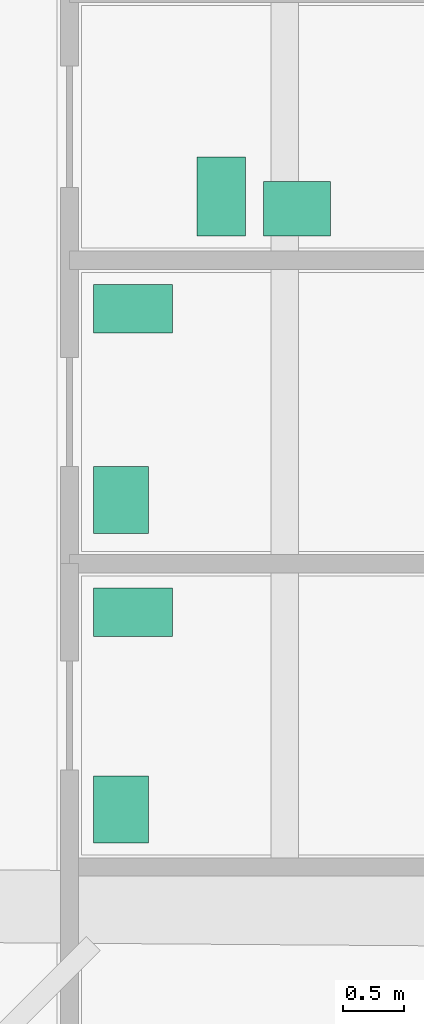
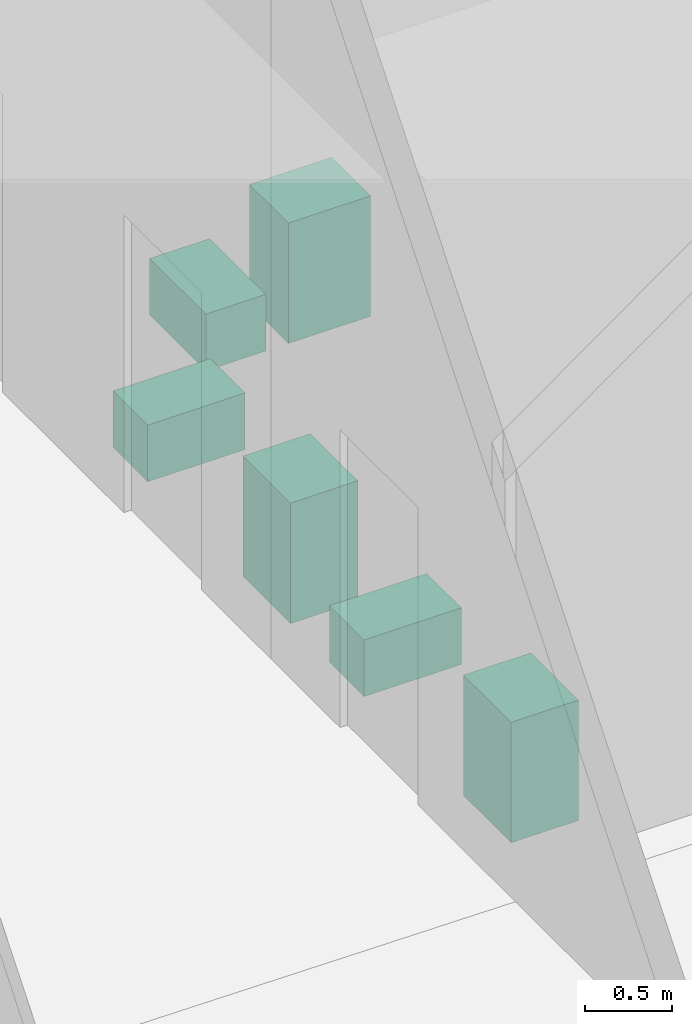
# One storey, part 34 of 35: 6 sanitary terminals.
"""IFC4 building model written with IfcOpenShell, lengths in metres."""

from ifc_helpers import new_model, si_unit, direction, frame, origin, origin_2d, place, context, subcontext, project, spatial, rectangle, extrude, material, type_object, element, save


model = new_model("IFC4")

# Units and contexts
model_context = context("Model", 3, precision=1e-05, world=origin(), true_north=direction((0.0, 1.0)))
body_context = subcontext(model_context, "Body", "Model", "MODEL_VIEW")
ifc_project = project(units=[si_unit("LENGTHUNIT", "METRE"), si_unit("AREAUNIT", "SQUARE_METRE"), si_unit("VOLUMEUNIT", "CUBIC_METRE"), si_unit("PLANEANGLEUNIT", "RADIAN"), si_unit("MASSUNIT", "GRAM", prefix="KILO")], contexts=[model_context])

# Site, building, storey
site_placement = place(None, origin())
site = spatial("IfcSite", under=ifc_project, at=site_placement, CompositionType="ELEMENT")
building_placement = place(site_placement, origin())
building = spatial("IfcBuilding", under=site, at=building_placement, Name="Mashrafa Tower", CompositionType="ELEMENT")
storey_placement = place(building_placement, origin())
storey = spatial("IfcBuildingStorey", under=building, at=storey_placement, Name="L00", CompositionType="ELEMENT", Elevation=0.0)

# Sanitary terminals
ifc_material_1 = material(Name="Vitreous china")
sanitary_terminal_type_1 = type_object("IfcSanitaryTerminalType", Name="Toilet pan 400 x 650", PredefinedType="TOILETPAN", material=ifc_material_1)
for number, where, z_axis, x_axis, name in (
    (1, (15.02490234375, -8.39990234375, 0.0), (0.0, 0.0, 1.0), (0.0, -1.0, 0.0), "Toilet pan WC Female L00"),
    (2, (15.02490234375, -5.89990234375, 0.0), (0.0, 0.0, 1.0), (0.0, -1.0, 0.0), "Toilet pan WC Male L00"),
    (3, (15.75, -4.97509765625, 0.0), (0.0, 0.0, 1.0), (1.0, 0.0, 0.0), "Toilet pan Accessible WC L00"),
):
    element("IfcSanitaryTerminal", number, at=place(storey_placement, frame(where, z_axis=z_axis, x_axis=x_axis)), inside=storey, type_object=sanitary_terminal_type_1, Name=name, PredefinedType="TOILETPAN", context=body_context, shape_type="SweptSolid", body=[
        extrude(rectangle(XDim=0.39990234375, YDim=0.64990234375, at=origin_2d()), origin(), (0.0, 0.0, 1.0), 0.39990234375),
    ])
ifc_material_2 = material(Name="Vitreous china")
sanitary_terminal_type_2 = type_object("IfcSanitaryTerminalType", Name="Wash basin 550 x 450", PredefinedType="WASHHANDBASIN", material=ifc_material_2)
for number, where, z_axis, x_axis, name in (
    (4, (14.925048828125, -10.02490234375, 0.0), (0.0, 0.0, 1.0), (0.0, -1.0, 0.0), "Wash basin WC Female L00"),
    (5, (14.925048828125, -7.47509765625, 0.0), (0.0, 0.0, 1.0), (0.0, -1.0, 0.0), "Wash basin WC Male L00"),
    (6, (16.375, -5.074951171875, 0.0), (0.0, 0.0, 1.0), (1.0, 0.0, 0.0), "Wash basin Accessible WC L00"),
):
    element("IfcSanitaryTerminal", number, at=place(storey_placement, frame(where, z_axis=z_axis, x_axis=x_axis)), inside=storey, type_object=sanitary_terminal_type_2, Name=name, PredefinedType="WASHHANDBASIN", context=body_context, shape_type="SweptSolid", body=[
        extrude(rectangle(XDim=0.550048828125, YDim=0.449951171875, at=origin_2d()), origin(), (0.0, 0.0, 1.0), 0.85009765625),
    ])

save(model, "model.ifc")
